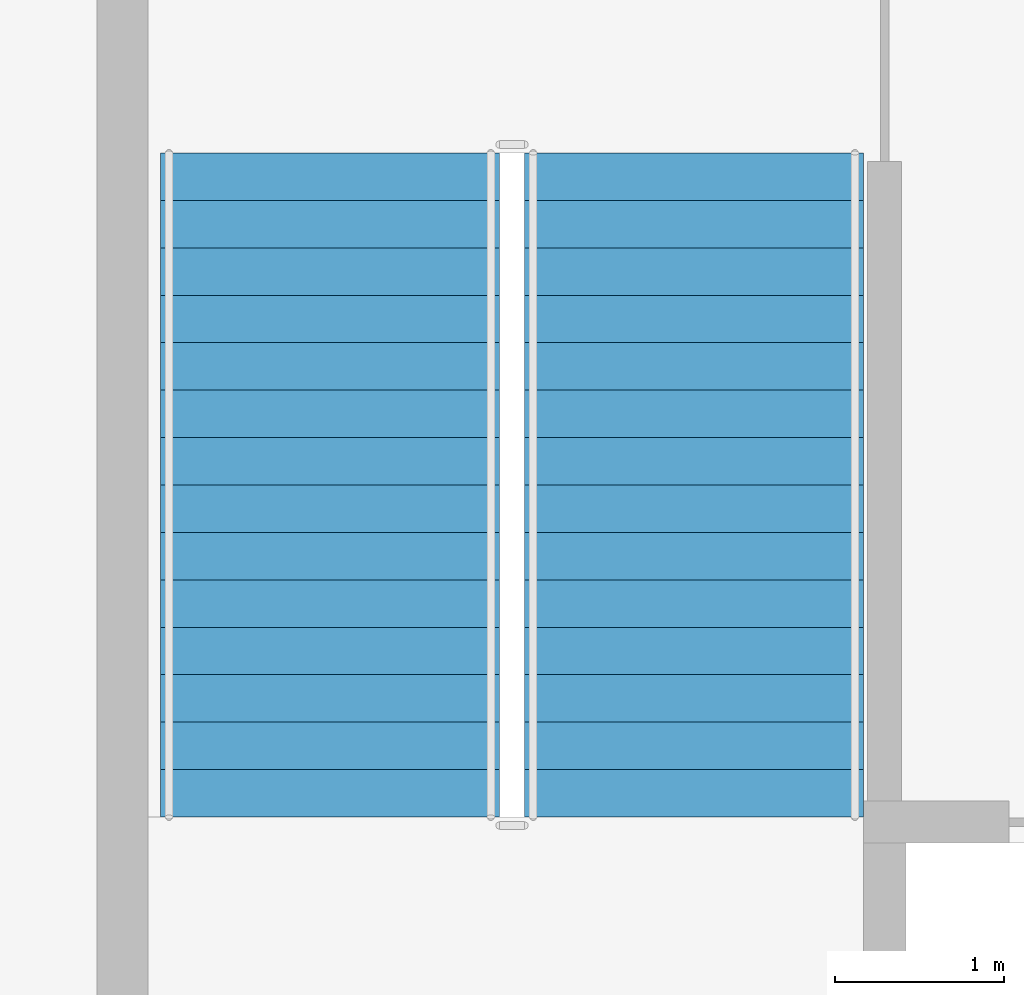
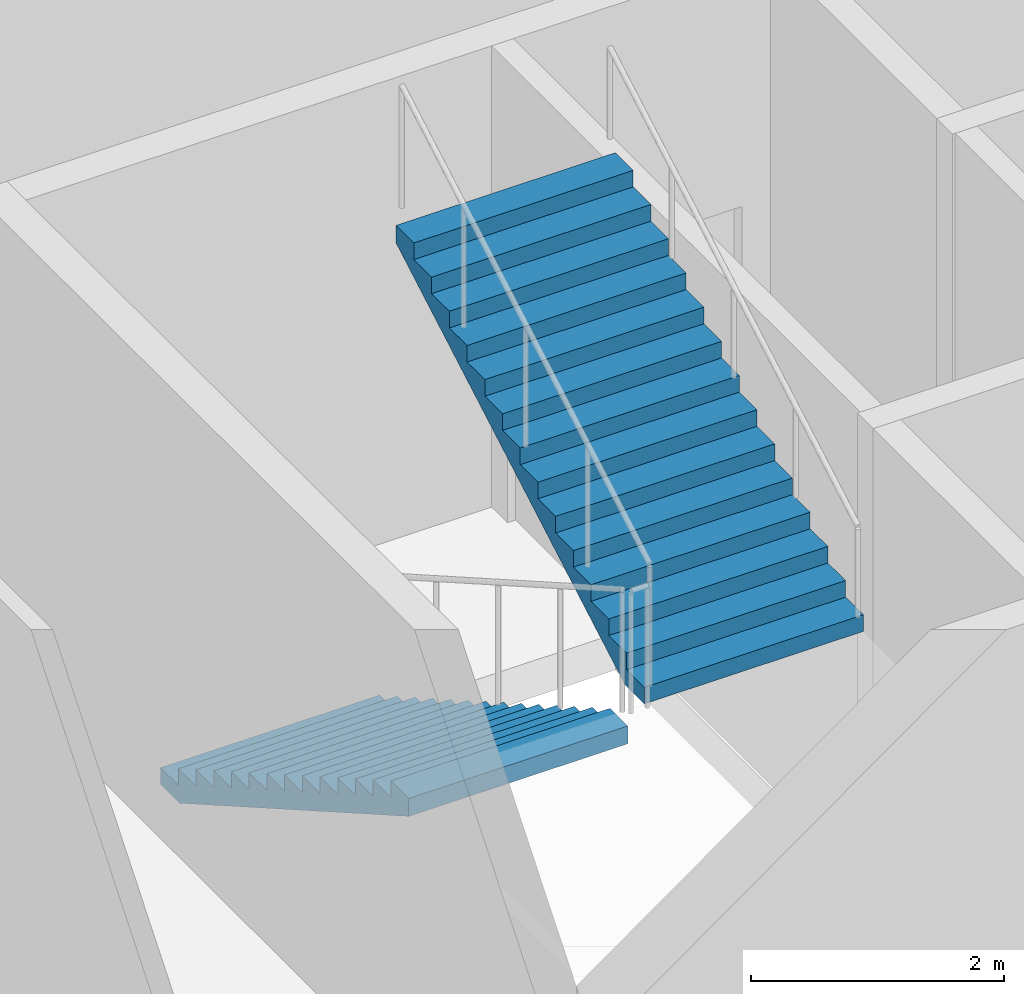
# One storey, part 11 of 23: 2 stair flights, 1 element without a shape of its own.
"""IFC4 building model written with IfcOpenShell, lengths in metres."""

from ifc_helpers import new_model, si_unit, direction, frame, origin, place, context, subcontext, project, spatial, polygons, material, type_object, element, aggregate, save


model = new_model("IFC4")

# Units and contexts
model_context = context("Model", 3, precision=1e-05, world=origin(), true_north=direction((0.0, 1.0)))
body_context = subcontext(model_context, "Body", "Model", "MODEL_VIEW")
ifc_project = project(units=[si_unit("LENGTHUNIT", "METRE"), si_unit("AREAUNIT", "SQUARE_METRE"), si_unit("VOLUMEUNIT", "CUBIC_METRE"), si_unit("PLANEANGLEUNIT", "RADIAN"), si_unit("MASSUNIT", "GRAM", prefix="KILO")], contexts=[model_context])

# Site, building, storey
site_placement = place(None, origin())
site = spatial("IfcSite", under=ifc_project, at=site_placement, CompositionType="ELEMENT")
building_placement = place(site_placement, origin())
building = spatial("IfcBuilding", under=site, at=building_placement, Name="Caravel Reach Hotel and Residences", CompositionType="ELEMENT")
storey_placement = place(building_placement, frame((0.0, 0.0, 24.0)))
storey = spatial("IfcBuildingStorey", under=building, at=storey_placement, Name="L04", CompositionType="ELEMENT", Elevation=24.0)

# Stair, stair flights
ifc_material_1 = material(Name="Concrete C40", Category="concrete")
stair_type = type_object("IfcStairType", Name="Core stair", PredefinedType="HALF_TURN_STAIR", material=ifc_material_1)
stair_placement = place(storey_placement, origin())
stair = element("IfcStair", 1, at=stair_placement, inside=storey, type_object=stair_type, Name="L04 Exit stair A", PredefinedType="HALF_TURN_STAIR")
ifc_material_2 = material(Name="Concrete C40", Category="concrete")
stair_flight_type = type_object("IfcStairFlightType", Name="Core stair flight", PredefinedType="STRAIGHT", material=ifc_material_2)
stair_flight_1_placement = place(storey_placement, frame((19.22509765625, 29.35009765625, 0.0), z_axis=(0.0, 0.0, 1.0), x_axis=(0.0, -1.0, 0.0)))
stair_flight_1 = element("IfcStairFlight", 2, at=stair_flight_1_placement, type_object=stair_flight_type, Name="ST-A flight 1", NumberOfRisers=15, NumberOfTreads=14, PredefinedType="STRAIGHT", RiserHeight=0.16, TreadLength=0.28, context=body_context, shape_type="Tessellation", body=[
    polygons([(0.30213783309663755, 1.0, 0.0), (0.30213783309663755, 0.6666666666666667, 0.0), (0.30213783309663755, 0.33333333333333337, 0.0), (0.30213783309663755, 0.0, 0.0), (0.30213783309663755, -0.33333333333333326, 0.0), (0.30213783309663755, -0.6666666666666667, 0.0), (0.30213783309663755, -1.0, 0.0), (3.9210000000000003, 1.0, 2.0673498096590643), (3.9210000000000003, 0.6666666666666667, 2.0673498096590643), (3.9210000000000003, 0.33333333333333337, 2.0673498096590643), (3.9210000000000003, 0.0, 2.0673498096590643), (3.9210000000000003, -0.33333333333333326, 2.0673498096590643), (3.9210000000000003, -0.6666666666666667, 2.0673498096590643), (3.9210000000000003, -1.0, 2.0673498096590643), (3.9210000000000003, 1.0, 2.24), (3.9210000000000003, 0.6666666666666667, 2.24), (3.9210000000000003, 0.33333333333333337, 2.24), (3.9210000000000003, 0.0, 2.24), (3.9210000000000003, -0.33333333333333326, 2.24), (3.9210000000000003, -0.6666666666666667, 2.24), (3.9210000000000003, -1.0, 2.24), (3.6400000000000006, 1.0, 2.24), (3.6400000000000006, 0.6666666666666667, 2.24), (3.6400000000000006, 0.33333333333333337, 2.24), (3.6400000000000006, 0.0, 2.24), (3.6400000000000006, -0.33333333333333326, 2.24), (3.6400000000000006, -0.6666666666666667, 2.24), (3.6400000000000006, -1.0, 2.24), (3.6400000000000006, 1.0, 2.08), (3.6400000000000006, 0.6666666666666667, 2.08), (3.6400000000000006, 0.33333333333333337, 2.08), (3.6400000000000006, 0.0, 2.08), (3.6400000000000006, -0.33333333333333326, 2.08), (3.6400000000000006, -0.6666666666666667, 2.08), (3.6400000000000006, -1.0, 2.08), (3.3600000000000003, 1.0, 2.08), (3.3600000000000003, 0.6666666666666667, 2.08), (3.3600000000000003, 0.33333333333333337, 2.08), (3.3600000000000003, 0.0, 2.08), (3.3600000000000003, -0.33333333333333326, 2.08), (3.3600000000000003, -0.6666666666666667, 2.08), (3.3600000000000003, -1.0, 2.08), (3.3600000000000003, 1.0, 1.92), (3.3600000000000003, 0.6666666666666667, 1.92), (3.3600000000000003, 0.33333333333333337, 1.92), (3.3600000000000003, 0.0, 1.92), (3.3600000000000003, -0.33333333333333326, 1.92), (3.3600000000000003, -0.6666666666666667, 1.92), (3.3600000000000003, -1.0, 1.92), (3.08, 1.0, 1.92), (3.08, 0.6666666666666667, 1.92), (3.08, 0.33333333333333337, 1.92), (3.08, 0.0, 1.92), (3.08, -0.33333333333333326, 1.92), (3.08, -0.6666666666666667, 1.92), (3.08, -1.0, 1.92), (3.08, 1.0, 1.76), (3.08, 0.6666666666666667, 1.76), (3.08, 0.33333333333333337, 1.76), (3.08, 0.0, 1.76), (3.08, -0.33333333333333326, 1.76), (3.08, -0.6666666666666667, 1.76), (3.08, -1.0, 1.76), (2.8000000000000003, 1.0, 1.76), (2.8000000000000003, 0.6666666666666667, 1.76), (2.8000000000000003, 0.33333333333333337, 1.76), (2.8000000000000003, 0.0, 1.76), (2.8000000000000003, -0.33333333333333326, 1.76), (2.8000000000000003, -0.6666666666666667, 1.76), (2.8000000000000003, -1.0, 1.76), (2.8000000000000003, 1.0, 1.6), (2.8000000000000003, 0.6666666666666667, 1.6), (2.8000000000000003, 0.33333333333333337, 1.6), (2.8000000000000003, 0.0, 1.6), (2.8000000000000003, -0.33333333333333326, 1.6), (2.8000000000000003, -0.6666666666666667, 1.6), (2.8000000000000003, -1.0, 1.6), (2.5200000000000005, 1.0, 1.6), (2.5200000000000005, 0.6666666666666667, 1.6), (2.5200000000000005, 0.33333333333333337, 1.6), (2.5200000000000005, 0.0, 1.6), (2.5200000000000005, -0.33333333333333326, 1.6), (2.5200000000000005, -0.6666666666666667, 1.6), (2.5200000000000005, -1.0, 1.6), (2.5200000000000005, 1.0, 1.44), (2.5200000000000005, 0.6666666666666667, 1.44), (2.5200000000000005, 0.33333333333333337, 1.44), (2.5200000000000005, 0.0, 1.44), (2.5200000000000005, -0.33333333333333326, 1.44), (2.5200000000000005, -0.6666666666666667, 1.44), (2.5200000000000005, -1.0, 1.44), (2.24, 1.0, 1.44), (2.24, 0.6666666666666667, 1.44), (2.24, 0.33333333333333337, 1.44), (2.24, 0.0, 1.44), (2.24, -0.33333333333333326, 1.44), (2.24, -0.6666666666666667, 1.44), (2.24, -1.0, 1.44), (2.24, 1.0, 1.28), (2.24, 0.6666666666666667, 1.28), (2.24, 0.33333333333333337, 1.28), (2.24, 0.0, 1.28), (2.24, -0.33333333333333326, 1.28), (2.24, -0.6666666666666667, 1.28), (2.24, -1.0, 1.28), (1.9600000000000002, 1.0, 1.28), (1.9600000000000002, 0.6666666666666667, 1.28), (1.9600000000000002, 0.33333333333333337, 1.28), (1.9600000000000002, 0.0, 1.28), (1.9600000000000002, -0.33333333333333326, 1.28), (1.9600000000000002, -0.6666666666666667, 1.28), (1.9600000000000002, -1.0, 1.28), (1.9600000000000002, 1.0, 1.12), (1.9600000000000002, 0.6666666666666667, 1.12), (1.9600000000000002, 0.33333333333333337, 1.12), (1.9600000000000002, 0.0, 1.12), (1.9600000000000002, -0.33333333333333326, 1.12), (1.9600000000000002, -0.6666666666666667, 1.12), (1.9600000000000002, -1.0, 1.12), (1.6800000000000002, 1.0, 1.12), (1.6800000000000002, 0.6666666666666667, 1.12), (1.6800000000000002, 0.33333333333333337, 1.12), (1.6800000000000002, 0.0, 1.12), (1.6800000000000002, -0.33333333333333326, 1.12), (1.6800000000000002, -0.6666666666666667, 1.12), (1.6800000000000002, -1.0, 1.12), (1.6800000000000002, 1.0, 0.96), (1.6800000000000002, 0.6666666666666667, 0.96), (1.6800000000000002, 0.33333333333333337, 0.96), (1.6800000000000002, 0.0, 0.96), (1.6800000000000002, -0.33333333333333326, 0.96), (1.6800000000000002, -0.6666666666666667, 0.96), (1.6800000000000002, -1.0, 0.96), (1.4000000000000001, 1.0, 0.96), (1.4000000000000001, 0.6666666666666667, 0.96), (1.4000000000000001, 0.33333333333333337, 0.96), (1.4000000000000001, 0.0, 0.96), (1.4000000000000001, -0.33333333333333326, 0.96), (1.4000000000000001, -0.6666666666666667, 0.96), (1.4000000000000001, -1.0, 0.96), (1.4000000000000001, 1.0, 0.8), (1.4000000000000001, 0.6666666666666667, 0.8), (1.4000000000000001, 0.33333333333333337, 0.8), (1.4000000000000001, 0.0, 0.8), (1.4000000000000001, -0.33333333333333326, 0.8), (1.4000000000000001, -0.6666666666666667, 0.8), (1.4000000000000001, -1.0, 0.8), (1.12, 1.0, 0.8), (1.12, 0.6666666666666667, 0.8), (1.12, 0.33333333333333337, 0.8), (1.12, 0.0, 0.8), (1.12, -0.33333333333333326, 0.8), (1.12, -0.6666666666666667, 0.8), (1.12, -1.0, 0.8), (1.12, 1.0, 0.64), (1.12, 0.6666666666666667, 0.64), (1.12, 0.33333333333333337, 0.64), (1.12, 0.0, 0.64), (1.12, -0.33333333333333326, 0.64), (1.12, -0.6666666666666667, 0.64), (1.12, -1.0, 0.64), (0.8400000000000001, 1.0, 0.64), (0.8400000000000001, 0.6666666666666667, 0.64), (0.8400000000000001, 0.33333333333333337, 0.64), (0.8400000000000001, 0.0, 0.64), (0.8400000000000001, -0.33333333333333326, 0.64), (0.8400000000000001, -0.6666666666666667, 0.64), (0.8400000000000001, -1.0, 0.64), (0.8400000000000001, 1.0, 0.48), (0.8400000000000001, 0.6666666666666667, 0.48), (0.8400000000000001, 0.33333333333333337, 0.48), (0.8400000000000001, 0.0, 0.48), (0.8400000000000001, -0.33333333333333326, 0.48), (0.8400000000000001, -0.6666666666666667, 0.48), (0.8400000000000001, -1.0, 0.48), (0.56, 1.0, 0.48), (0.56, 0.6666666666666667, 0.48), (0.56, 0.33333333333333337, 0.48), (0.56, 0.0, 0.48), (0.56, -0.33333333333333326, 0.48), (0.56, -0.6666666666666667, 0.48), (0.56, -1.0, 0.48), (0.56, 1.0, 0.32), (0.56, 0.6666666666666667, 0.32), (0.56, 0.33333333333333337, 0.32), (0.56, 0.0, 0.32), (0.56, -0.33333333333333326, 0.32), (0.56, -0.6666666666666667, 0.32), (0.56, -1.0, 0.32), (0.28, 1.0, 0.32), (0.28, 0.6666666666666667, 0.32), (0.28, 0.33333333333333337, 0.32), (0.28, 0.0, 0.32), (0.28, -0.33333333333333326, 0.32), (0.28, -0.6666666666666667, 0.32), (0.28, -1.0, 0.32), (0.28, 1.0, 0.16), (0.28, 0.6666666666666667, 0.16), (0.28, 0.33333333333333337, 0.16), (0.28, 0.0, 0.16), (0.28, -0.33333333333333326, 0.16), (0.28, -0.6666666666666667, 0.16), (0.28, -1.0, 0.16), (-0.001, 1.0, 0.16), (-0.001, 0.6666666666666667, 0.16), (-0.001, 0.33333333333333337, 0.16), (-0.001, 0.0, 0.16), (-0.001, -0.33333333333333326, 0.16), (-0.001, -0.6666666666666667, 0.16), (-0.001, -1.0, 0.16), (-0.001, 1.0, 0.0), (-0.001, 0.6666666666666667, 0.0), (-0.001, 0.33333333333333337, 0.0), (-0.001, 0.0, 0.0), (-0.001, -0.33333333333333326, 0.0), (-0.001, -0.6666666666666667, 0.0), (-0.001, -1.0, 0.0)], [[[211, 204, 197, 190, 183, 176, 169, 162, 155, 148, 141, 134, 127, 120, 113, 106, 99, 92, 85, 78, 71, 64, 57, 50, 43, 36, 29, 22, 15, 8, 1]], [[7, 14, 21, 28, 35, 42, 49, 56, 63, 70, 77, 84, 91, 98, 105, 112, 119, 126, 133, 140, 147, 154, 161, 168, 175, 182, 189, 196, 203, 210, 217]], [[1, 8, 9, 2]], [[2, 9, 10, 3]], [[3, 10, 11, 4]], [[4, 11, 12, 5]], [[5, 12, 13, 6]], [[6, 13, 14, 7]], [[8, 15, 16, 9]], [[9, 16, 17, 10]], [[10, 17, 18, 11]], [[11, 18, 19, 12]], [[12, 19, 20, 13]], [[13, 20, 21, 14]], [[15, 22, 23, 16]], [[16, 23, 24, 17]], [[17, 24, 25, 18]], [[18, 25, 26, 19]], [[19, 26, 27, 20]], [[20, 27, 28, 21]], [[22, 29, 30, 23]], [[23, 30, 31, 24]], [[24, 31, 32, 25]], [[25, 32, 33, 26]], [[26, 33, 34, 27]], [[27, 34, 35, 28]], [[29, 36, 37, 30]], [[30, 37, 38, 31]], [[31, 38, 39, 32]], [[32, 39, 40, 33]], [[33, 40, 41, 34]], [[34, 41, 42, 35]], [[36, 43, 44, 37]], [[37, 44, 45, 38]], [[38, 45, 46, 39]], [[39, 46, 47, 40]], [[40, 47, 48, 41]], [[41, 48, 49, 42]], [[43, 50, 51, 44]], [[44, 51, 52, 45]], [[45, 52, 53, 46]], [[46, 53, 54, 47]], [[47, 54, 55, 48]], [[48, 55, 56, 49]], [[50, 57, 58, 51]], [[51, 58, 59, 52]], [[52, 59, 60, 53]], [[53, 60, 61, 54]], [[54, 61, 62, 55]], [[55, 62, 63, 56]], [[57, 64, 65, 58]], [[58, 65, 66, 59]], [[59, 66, 67, 60]], [[60, 67, 68, 61]], [[61, 68, 69, 62]], [[62, 69, 70, 63]], [[64, 71, 72, 65]], [[65, 72, 73, 66]], [[66, 73, 74, 67]], [[67, 74, 75, 68]], [[68, 75, 76, 69]], [[69, 76, 77, 70]], [[71, 78, 79, 72]], [[72, 79, 80, 73]], [[73, 80, 81, 74]], [[74, 81, 82, 75]], [[75, 82, 83, 76]], [[76, 83, 84, 77]], [[78, 85, 86, 79]], [[79, 86, 87, 80]], [[80, 87, 88, 81]], [[81, 88, 89, 82]], [[82, 89, 90, 83]], [[83, 90, 91, 84]], [[85, 92, 93, 86]], [[86, 93, 94, 87]], [[87, 94, 95, 88]], [[88, 95, 96, 89]], [[89, 96, 97, 90]], [[90, 97, 98, 91]], [[92, 99, 100, 93]], [[93, 100, 101, 94]], [[94, 101, 102, 95]], [[95, 102, 103, 96]], [[96, 103, 104, 97]], [[97, 104, 105, 98]], [[99, 106, 107, 100]], [[100, 107, 108, 101]], [[101, 108, 109, 102]], [[102, 109, 110, 103]], [[103, 110, 111, 104]], [[104, 111, 112, 105]], [[106, 113, 114, 107]], [[107, 114, 115, 108]], [[108, 115, 116, 109]], [[109, 116, 117, 110]], [[110, 117, 118, 111]], [[111, 118, 119, 112]], [[113, 120, 121, 114]], [[114, 121, 122, 115]], [[115, 122, 123, 116]], [[116, 123, 124, 117]], [[117, 124, 125, 118]], [[118, 125, 126, 119]], [[120, 127, 128, 121]], [[121, 128, 129, 122]], [[122, 129, 130, 123]], [[123, 130, 131, 124]], [[124, 131, 132, 125]], [[125, 132, 133, 126]], [[127, 134, 135, 128]], [[128, 135, 136, 129]], [[129, 136, 137, 130]], [[130, 137, 138, 131]], [[131, 138, 139, 132]], [[132, 139, 140, 133]], [[134, 141, 142, 135]], [[135, 142, 143, 136]], [[136, 143, 144, 137]], [[137, 144, 145, 138]], [[138, 145, 146, 139]], [[139, 146, 147, 140]], [[141, 148, 149, 142]], [[142, 149, 150, 143]], [[143, 150, 151, 144]], [[144, 151, 152, 145]], [[145, 152, 153, 146]], [[146, 153, 154, 147]], [[148, 155, 156, 149]], [[149, 156, 157, 150]], [[150, 157, 158, 151]], [[151, 158, 159, 152]], [[152, 159, 160, 153]], [[153, 160, 161, 154]], [[155, 162, 163, 156]], [[156, 163, 164, 157]], [[157, 164, 165, 158]], [[158, 165, 166, 159]], [[159, 166, 167, 160]], [[160, 167, 168, 161]], [[162, 169, 170, 163]], [[163, 170, 171, 164]], [[164, 171, 172, 165]], [[165, 172, 173, 166]], [[166, 173, 174, 167]], [[167, 174, 175, 168]], [[169, 176, 177, 170]], [[170, 177, 178, 171]], [[171, 178, 179, 172]], [[172, 179, 180, 173]], [[173, 180, 181, 174]], [[174, 181, 182, 175]], [[176, 183, 184, 177]], [[177, 184, 185, 178]], [[178, 185, 186, 179]], [[179, 186, 187, 180]], [[180, 187, 188, 181]], [[181, 188, 189, 182]], [[183, 190, 191, 184]], [[184, 191, 192, 185]], [[185, 192, 193, 186]], [[186, 193, 194, 187]], [[187, 194, 195, 188]], [[188, 195, 196, 189]], [[190, 197, 198, 191]], [[191, 198, 199, 192]], [[192, 199, 200, 193]], [[193, 200, 201, 194]], [[194, 201, 202, 195]], [[195, 202, 203, 196]], [[197, 204, 205, 198]], [[198, 205, 206, 199]], [[199, 206, 207, 200]], [[200, 207, 208, 201]], [[201, 208, 209, 202]], [[202, 209, 210, 203]], [[204, 211, 212, 205]], [[205, 212, 213, 206]], [[206, 213, 214, 207]], [[207, 214, 215, 208]], [[208, 215, 216, 209]], [[209, 216, 217, 210]], [[211, 1, 2, 212]], [[212, 2, 3, 213]], [[213, 3, 4, 214]], [[214, 4, 5, 215]], [[215, 5, 6, 216]], [[216, 6, 7, 217]]], closed=True),
])
stair_flight_2_placement = place(storey_placement, frame((21.375, 25.429931640625, 2.39990234375), z_axis=(0.0, 0.0, 1.0), x_axis=(0.0, 1.0, 0.0)))
stair_flight_2 = element("IfcStairFlight", 3, at=stair_flight_2_placement, type_object=stair_flight_type, Name="ST-A flight 2", NumberOfRisers=15, NumberOfTreads=14, PredefinedType="STRAIGHT", RiserHeight=0.16, TreadLength=0.28, context=body_context, shape_type="Tessellation", body=[
    polygons([(0.30213783309663755, 1.0, 0.0), (0.30213783309663755, 0.6666666666666667, 0.0), (0.30213783309663755, 0.33333333333333337, 0.0), (0.30213783309663755, 0.0, 0.0), (0.30213783309663755, -0.33333333333333326, 0.0), (0.30213783309663755, -0.6666666666666667, 0.0), (0.30213783309663755, -1.0, 0.0), (3.9210000000000003, 1.0, 2.0673498096590643), (3.9210000000000003, 0.6666666666666667, 2.0673498096590643), (3.9210000000000003, 0.33333333333333337, 2.0673498096590643), (3.9210000000000003, 0.0, 2.0673498096590643), (3.9210000000000003, -0.33333333333333326, 2.0673498096590643), (3.9210000000000003, -0.6666666666666667, 2.0673498096590643), (3.9210000000000003, -1.0, 2.0673498096590643), (3.9210000000000003, 1.0, 2.24), (3.9210000000000003, 0.6666666666666667, 2.24), (3.9210000000000003, 0.33333333333333337, 2.24), (3.9210000000000003, 0.0, 2.24), (3.9210000000000003, -0.33333333333333326, 2.24), (3.9210000000000003, -0.6666666666666667, 2.24), (3.9210000000000003, -1.0, 2.24), (3.6400000000000006, 1.0, 2.24), (3.6400000000000006, 0.6666666666666667, 2.24), (3.6400000000000006, 0.33333333333333337, 2.24), (3.6400000000000006, 0.0, 2.24), (3.6400000000000006, -0.33333333333333326, 2.24), (3.6400000000000006, -0.6666666666666667, 2.24), (3.6400000000000006, -1.0, 2.24), (3.6400000000000006, 1.0, 2.08), (3.6400000000000006, 0.6666666666666667, 2.08), (3.6400000000000006, 0.33333333333333337, 2.08), (3.6400000000000006, 0.0, 2.08), (3.6400000000000006, -0.33333333333333326, 2.08), (3.6400000000000006, -0.6666666666666667, 2.08), (3.6400000000000006, -1.0, 2.08), (3.3600000000000003, 1.0, 2.08), (3.3600000000000003, 0.6666666666666667, 2.08), (3.3600000000000003, 0.33333333333333337, 2.08), (3.3600000000000003, 0.0, 2.08), (3.3600000000000003, -0.33333333333333326, 2.08), (3.3600000000000003, -0.6666666666666667, 2.08), (3.3600000000000003, -1.0, 2.08), (3.3600000000000003, 1.0, 1.92), (3.3600000000000003, 0.6666666666666667, 1.92), (3.3600000000000003, 0.33333333333333337, 1.92), (3.3600000000000003, 0.0, 1.92), (3.3600000000000003, -0.33333333333333326, 1.92), (3.3600000000000003, -0.6666666666666667, 1.92), (3.3600000000000003, -1.0, 1.92), (3.08, 1.0, 1.92), (3.08, 0.6666666666666667, 1.92), (3.08, 0.33333333333333337, 1.92), (3.08, 0.0, 1.92), (3.08, -0.33333333333333326, 1.92), (3.08, -0.6666666666666667, 1.92), (3.08, -1.0, 1.92), (3.08, 1.0, 1.76), (3.08, 0.6666666666666667, 1.76), (3.08, 0.33333333333333337, 1.76), (3.08, 0.0, 1.76), (3.08, -0.33333333333333326, 1.76), (3.08, -0.6666666666666667, 1.76), (3.08, -1.0, 1.76), (2.8000000000000003, 1.0, 1.76), (2.8000000000000003, 0.6666666666666667, 1.76), (2.8000000000000003, 0.33333333333333337, 1.76), (2.8000000000000003, 0.0, 1.76), (2.8000000000000003, -0.33333333333333326, 1.76), (2.8000000000000003, -0.6666666666666667, 1.76), (2.8000000000000003, -1.0, 1.76), (2.8000000000000003, 1.0, 1.6), (2.8000000000000003, 0.6666666666666667, 1.6), (2.8000000000000003, 0.33333333333333337, 1.6), (2.8000000000000003, 0.0, 1.6), (2.8000000000000003, -0.33333333333333326, 1.6), (2.8000000000000003, -0.6666666666666667, 1.6), (2.8000000000000003, -1.0, 1.6), (2.5200000000000005, 1.0, 1.6), (2.5200000000000005, 0.6666666666666667, 1.6), (2.5200000000000005, 0.33333333333333337, 1.6), (2.5200000000000005, 0.0, 1.6), (2.5200000000000005, -0.33333333333333326, 1.6), (2.5200000000000005, -0.6666666666666667, 1.6), (2.5200000000000005, -1.0, 1.6), (2.5200000000000005, 1.0, 1.44), (2.5200000000000005, 0.6666666666666667, 1.44), (2.5200000000000005, 0.33333333333333337, 1.44), (2.5200000000000005, 0.0, 1.44), (2.5200000000000005, -0.33333333333333326, 1.44), (2.5200000000000005, -0.6666666666666667, 1.44), (2.5200000000000005, -1.0, 1.44), (2.24, 1.0, 1.44), (2.24, 0.6666666666666667, 1.44), (2.24, 0.33333333333333337, 1.44), (2.24, 0.0, 1.44), (2.24, -0.33333333333333326, 1.44), (2.24, -0.6666666666666667, 1.44), (2.24, -1.0, 1.44), (2.24, 1.0, 1.28), (2.24, 0.6666666666666667, 1.28), (2.24, 0.33333333333333337, 1.28), (2.24, 0.0, 1.28), (2.24, -0.33333333333333326, 1.28), (2.24, -0.6666666666666667, 1.28), (2.24, -1.0, 1.28), (1.9600000000000002, 1.0, 1.28), (1.9600000000000002, 0.6666666666666667, 1.28), (1.9600000000000002, 0.33333333333333337, 1.28), (1.9600000000000002, 0.0, 1.28), (1.9600000000000002, -0.33333333333333326, 1.28), (1.9600000000000002, -0.6666666666666667, 1.28), (1.9600000000000002, -1.0, 1.28), (1.9600000000000002, 1.0, 1.12), (1.9600000000000002, 0.6666666666666667, 1.12), (1.9600000000000002, 0.33333333333333337, 1.12), (1.9600000000000002, 0.0, 1.12), (1.9600000000000002, -0.33333333333333326, 1.12), (1.9600000000000002, -0.6666666666666667, 1.12), (1.9600000000000002, -1.0, 1.12), (1.6800000000000002, 1.0, 1.12), (1.6800000000000002, 0.6666666666666667, 1.12), (1.6800000000000002, 0.33333333333333337, 1.12), (1.6800000000000002, 0.0, 1.12), (1.6800000000000002, -0.33333333333333326, 1.12), (1.6800000000000002, -0.6666666666666667, 1.12), (1.6800000000000002, -1.0, 1.12), (1.6800000000000002, 1.0, 0.96), (1.6800000000000002, 0.6666666666666667, 0.96), (1.6800000000000002, 0.33333333333333337, 0.96), (1.6800000000000002, 0.0, 0.96), (1.6800000000000002, -0.33333333333333326, 0.96), (1.6800000000000002, -0.6666666666666667, 0.96), (1.6800000000000002, -1.0, 0.96), (1.4000000000000001, 1.0, 0.96), (1.4000000000000001, 0.6666666666666667, 0.96), (1.4000000000000001, 0.33333333333333337, 0.96), (1.4000000000000001, 0.0, 0.96), (1.4000000000000001, -0.33333333333333326, 0.96), (1.4000000000000001, -0.6666666666666667, 0.96), (1.4000000000000001, -1.0, 0.96), (1.4000000000000001, 1.0, 0.8), (1.4000000000000001, 0.6666666666666667, 0.8), (1.4000000000000001, 0.33333333333333337, 0.8), (1.4000000000000001, 0.0, 0.8), (1.4000000000000001, -0.33333333333333326, 0.8), (1.4000000000000001, -0.6666666666666667, 0.8), (1.4000000000000001, -1.0, 0.8), (1.12, 1.0, 0.8), (1.12, 0.6666666666666667, 0.8), (1.12, 0.33333333333333337, 0.8), (1.12, 0.0, 0.8), (1.12, -0.33333333333333326, 0.8), (1.12, -0.6666666666666667, 0.8), (1.12, -1.0, 0.8), (1.12, 1.0, 0.64), (1.12, 0.6666666666666667, 0.64), (1.12, 0.33333333333333337, 0.64), (1.12, 0.0, 0.64), (1.12, -0.33333333333333326, 0.64), (1.12, -0.6666666666666667, 0.64), (1.12, -1.0, 0.64), (0.8400000000000001, 1.0, 0.64), (0.8400000000000001, 0.6666666666666667, 0.64), (0.8400000000000001, 0.33333333333333337, 0.64), (0.8400000000000001, 0.0, 0.64), (0.8400000000000001, -0.33333333333333326, 0.64), (0.8400000000000001, -0.6666666666666667, 0.64), (0.8400000000000001, -1.0, 0.64), (0.8400000000000001, 1.0, 0.48), (0.8400000000000001, 0.6666666666666667, 0.48), (0.8400000000000001, 0.33333333333333337, 0.48), (0.8400000000000001, 0.0, 0.48), (0.8400000000000001, -0.33333333333333326, 0.48), (0.8400000000000001, -0.6666666666666667, 0.48), (0.8400000000000001, -1.0, 0.48), (0.56, 1.0, 0.48), (0.56, 0.6666666666666667, 0.48), (0.56, 0.33333333333333337, 0.48), (0.56, 0.0, 0.48), (0.56, -0.33333333333333326, 0.48), (0.56, -0.6666666666666667, 0.48), (0.56, -1.0, 0.48), (0.56, 1.0, 0.32), (0.56, 0.6666666666666667, 0.32), (0.56, 0.33333333333333337, 0.32), (0.56, 0.0, 0.32), (0.56, -0.33333333333333326, 0.32), (0.56, -0.6666666666666667, 0.32), (0.56, -1.0, 0.32), (0.28, 1.0, 0.32), (0.28, 0.6666666666666667, 0.32), (0.28, 0.33333333333333337, 0.32), (0.28, 0.0, 0.32), (0.28, -0.33333333333333326, 0.32), (0.28, -0.6666666666666667, 0.32), (0.28, -1.0, 0.32), (0.28, 1.0, 0.16), (0.28, 0.6666666666666667, 0.16), (0.28, 0.33333333333333337, 0.16), (0.28, 0.0, 0.16), (0.28, -0.33333333333333326, 0.16), (0.28, -0.6666666666666667, 0.16), (0.28, -1.0, 0.16), (-0.001, 1.0, 0.16), (-0.001, 0.6666666666666667, 0.16), (-0.001, 0.33333333333333337, 0.16), (-0.001, 0.0, 0.16), (-0.001, -0.33333333333333326, 0.16), (-0.001, -0.6666666666666667, 0.16), (-0.001, -1.0, 0.16), (-0.001, 1.0, 0.0), (-0.001, 0.6666666666666667, 0.0), (-0.001, 0.33333333333333337, 0.0), (-0.001, 0.0, 0.0), (-0.001, -0.33333333333333326, 0.0), (-0.001, -0.6666666666666667, 0.0), (-0.001, -1.0, 0.0)], [[[211, 204, 197, 190, 183, 176, 169, 162, 155, 148, 141, 134, 127, 120, 113, 106, 99, 92, 85, 78, 71, 64, 57, 50, 43, 36, 29, 22, 15, 8, 1]], [[7, 14, 21, 28, 35, 42, 49, 56, 63, 70, 77, 84, 91, 98, 105, 112, 119, 126, 133, 140, 147, 154, 161, 168, 175, 182, 189, 196, 203, 210, 217]], [[1, 8, 9, 2]], [[2, 9, 10, 3]], [[3, 10, 11, 4]], [[4, 11, 12, 5]], [[5, 12, 13, 6]], [[6, 13, 14, 7]], [[8, 15, 16, 9]], [[9, 16, 17, 10]], [[10, 17, 18, 11]], [[11, 18, 19, 12]], [[12, 19, 20, 13]], [[13, 20, 21, 14]], [[15, 22, 23, 16]], [[16, 23, 24, 17]], [[17, 24, 25, 18]], [[18, 25, 26, 19]], [[19, 26, 27, 20]], [[20, 27, 28, 21]], [[22, 29, 30, 23]], [[23, 30, 31, 24]], [[24, 31, 32, 25]], [[25, 32, 33, 26]], [[26, 33, 34, 27]], [[27, 34, 35, 28]], [[29, 36, 37, 30]], [[30, 37, 38, 31]], [[31, 38, 39, 32]], [[32, 39, 40, 33]], [[33, 40, 41, 34]], [[34, 41, 42, 35]], [[36, 43, 44, 37]], [[37, 44, 45, 38]], [[38, 45, 46, 39]], [[39, 46, 47, 40]], [[40, 47, 48, 41]], [[41, 48, 49, 42]], [[43, 50, 51, 44]], [[44, 51, 52, 45]], [[45, 52, 53, 46]], [[46, 53, 54, 47]], [[47, 54, 55, 48]], [[48, 55, 56, 49]], [[50, 57, 58, 51]], [[51, 58, 59, 52]], [[52, 59, 60, 53]], [[53, 60, 61, 54]], [[54, 61, 62, 55]], [[55, 62, 63, 56]], [[57, 64, 65, 58]], [[58, 65, 66, 59]], [[59, 66, 67, 60]], [[60, 67, 68, 61]], [[61, 68, 69, 62]], [[62, 69, 70, 63]], [[64, 71, 72, 65]], [[65, 72, 73, 66]], [[66, 73, 74, 67]], [[67, 74, 75, 68]], [[68, 75, 76, 69]], [[69, 76, 77, 70]], [[71, 78, 79, 72]], [[72, 79, 80, 73]], [[73, 80, 81, 74]], [[74, 81, 82, 75]], [[75, 82, 83, 76]], [[76, 83, 84, 77]], [[78, 85, 86, 79]], [[79, 86, 87, 80]], [[80, 87, 88, 81]], [[81, 88, 89, 82]], [[82, 89, 90, 83]], [[83, 90, 91, 84]], [[85, 92, 93, 86]], [[86, 93, 94, 87]], [[87, 94, 95, 88]], [[88, 95, 96, 89]], [[89, 96, 97, 90]], [[90, 97, 98, 91]], [[92, 99, 100, 93]], [[93, 100, 101, 94]], [[94, 101, 102, 95]], [[95, 102, 103, 96]], [[96, 103, 104, 97]], [[97, 104, 105, 98]], [[99, 106, 107, 100]], [[100, 107, 108, 101]], [[101, 108, 109, 102]], [[102, 109, 110, 103]], [[103, 110, 111, 104]], [[104, 111, 112, 105]], [[106, 113, 114, 107]], [[107, 114, 115, 108]], [[108, 115, 116, 109]], [[109, 116, 117, 110]], [[110, 117, 118, 111]], [[111, 118, 119, 112]], [[113, 120, 121, 114]], [[114, 121, 122, 115]], [[115, 122, 123, 116]], [[116, 123, 124, 117]], [[117, 124, 125, 118]], [[118, 125, 126, 119]], [[120, 127, 128, 121]], [[121, 128, 129, 122]], [[122, 129, 130, 123]], [[123, 130, 131, 124]], [[124, 131, 132, 125]], [[125, 132, 133, 126]], [[127, 134, 135, 128]], [[128, 135, 136, 129]], [[129, 136, 137, 130]], [[130, 137, 138, 131]], [[131, 138, 139, 132]], [[132, 139, 140, 133]], [[134, 141, 142, 135]], [[135, 142, 143, 136]], [[136, 143, 144, 137]], [[137, 144, 145, 138]], [[138, 145, 146, 139]], [[139, 146, 147, 140]], [[141, 148, 149, 142]], [[142, 149, 150, 143]], [[143, 150, 151, 144]], [[144, 151, 152, 145]], [[145, 152, 153, 146]], [[146, 153, 154, 147]], [[148, 155, 156, 149]], [[149, 156, 157, 150]], [[150, 157, 158, 151]], [[151, 158, 159, 152]], [[152, 159, 160, 153]], [[153, 160, 161, 154]], [[155, 162, 163, 156]], [[156, 163, 164, 157]], [[157, 164, 165, 158]], [[158, 165, 166, 159]], [[159, 166, 167, 160]], [[160, 167, 168, 161]], [[162, 169, 170, 163]], [[163, 170, 171, 164]], [[164, 171, 172, 165]], [[165, 172, 173, 166]], [[166, 173, 174, 167]], [[167, 174, 175, 168]], [[169, 176, 177, 170]], [[170, 177, 178, 171]], [[171, 178, 179, 172]], [[172, 179, 180, 173]], [[173, 180, 181, 174]], [[174, 181, 182, 175]], [[176, 183, 184, 177]], [[177, 184, 185, 178]], [[178, 185, 186, 179]], [[179, 186, 187, 180]], [[180, 187, 188, 181]], [[181, 188, 189, 182]], [[183, 190, 191, 184]], [[184, 191, 192, 185]], [[185, 192, 193, 186]], [[186, 193, 194, 187]], [[187, 194, 195, 188]], [[188, 195, 196, 189]], [[190, 197, 198, 191]], [[191, 198, 199, 192]], [[192, 199, 200, 193]], [[193, 200, 201, 194]], [[194, 201, 202, 195]], [[195, 202, 203, 196]], [[197, 204, 205, 198]], [[198, 205, 206, 199]], [[199, 206, 207, 200]], [[200, 207, 208, 201]], [[201, 208, 209, 202]], [[202, 209, 210, 203]], [[204, 211, 212, 205]], [[205, 212, 213, 206]], [[206, 213, 214, 207]], [[207, 214, 215, 208]], [[208, 215, 216, 209]], [[209, 216, 217, 210]], [[211, 1, 2, 212]], [[212, 2, 3, 213]], [[213, 3, 4, 214]], [[214, 4, 5, 215]], [[215, 5, 6, 216]], [[216, 6, 7, 217]]], closed=True),
])
aggregate(stair, [stair_flight_1, stair_flight_2])

save(model, "model.ifc")
